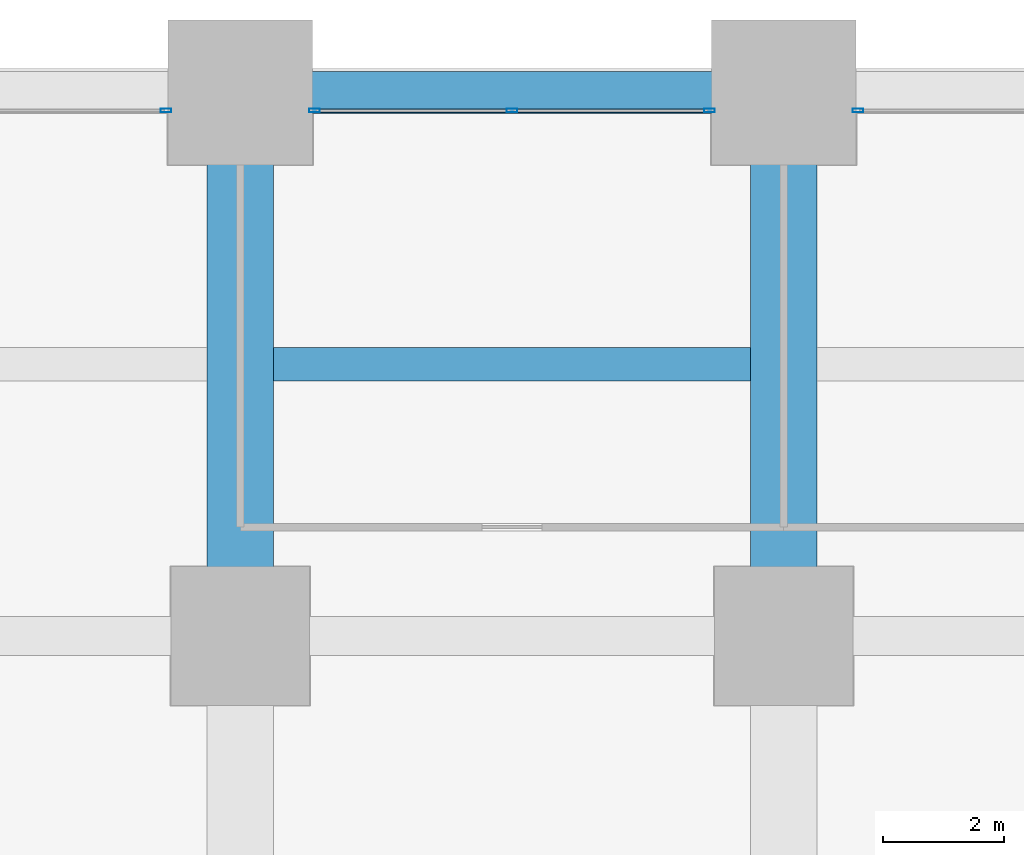
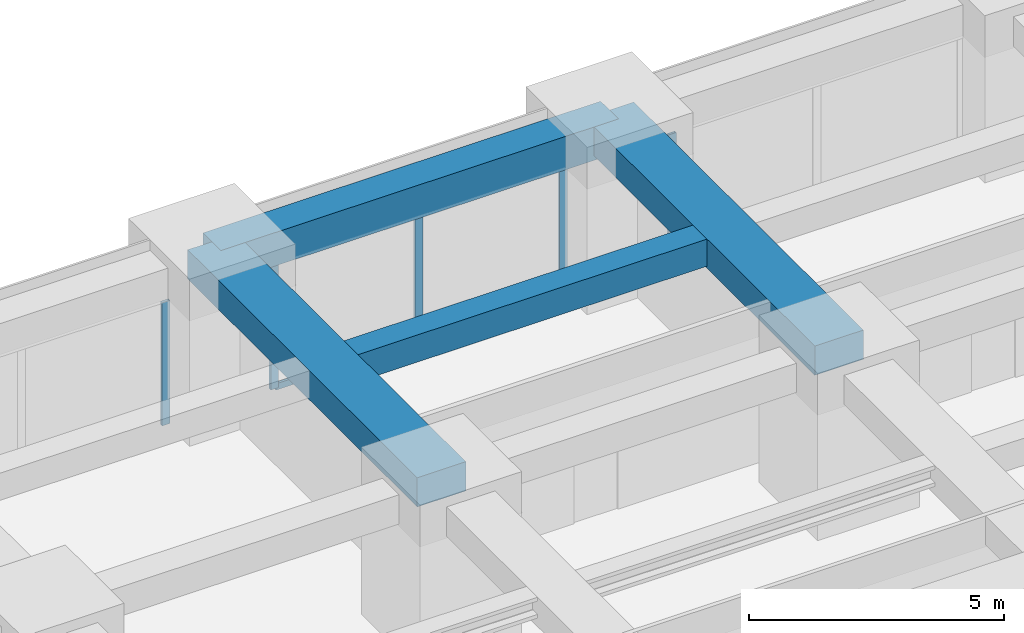
# One storey, part 35 of 45: 6 members, 4 beams, 3 elements without a shape of their own.
"""IFC4 building model written with IfcOpenShell, lengths in metres."""

from ifc_helpers import new_model, si_unit, direction, frame, origin, origin_2d, place, context, subcontext, project, spatial, rectangle, hollow_rectangle, extrude, material, material_profile, profile_set, type_object, element, aggregate, save


model = new_model("IFC4")

# Units and contexts
model_context = context("Model", 3, precision=1e-05, world=origin(), true_north=direction((0.0, 1.0)))
body_context = subcontext(model_context, "Body", "Model", "MODEL_VIEW")
ifc_project = project(units=[si_unit("LENGTHUNIT", "METRE"), si_unit("AREAUNIT", "SQUARE_METRE"), si_unit("VOLUMEUNIT", "CUBIC_METRE"), si_unit("PLANEANGLEUNIT", "RADIAN"), si_unit("MASSUNIT", "GRAM", prefix="KILO")], contexts=[model_context])

# Site, building, storey
site_placement = place(None, origin())
site = spatial("IfcSite", under=ifc_project, at=site_placement, CompositionType="ELEMENT")
building_placement = place(site_placement, origin())
building = spatial("IfcBuilding", under=site, at=building_placement, Name="Zorevar Civic Tower", CompositionType="ELEMENT")
storey_placement = place(building_placement, frame((0.0, 0.0, 23.800048828125)))
storey = spatial("IfcBuildingStorey", under=building, at=storey_placement, Name="L05", CompositionType="ELEMENT", Elevation=23.800048828125)

# Beams
ifc_material_1 = material(Name="Concrete C50/60", Category="concrete")
ifc_material_profile_1 = material_profile(ifc_material_1, rectangle(XDim=1.10009765625, YDim=0.699951171875, at=origin_2d()), Name="RC 1100x700")
ifc_profile_set_1 = profile_set([ifc_material_profile_1], Name="Concrete C50/60")
beam_type_1 = type_object("IfcBeamType", Name="Beam RC 1100x700", PredefinedType="BEAM", material=ifc_profile_set_1)
for number, where, z_axis, x_axis, name in (
    (1, (36.0, 45.0, 3.39990234375), (0.0, 1.0, 0.0), (-1.0, 0.0, 0.0), "Girder L06"),
    (2, (45.0, 45.0, 3.39990234375), (0.0, 1.0, 0.0), (-1.0, 0.0, 0.0), "Girder L06"),
):
    element("IfcBeam", number, at=place(storey_placement, frame(where, z_axis=z_axis, x_axis=x_axis)), inside=storey, type_object=beam_type_1, Name=name, PredefinedType="BEAM", context=body_context, shape_type="SweptSolid", body=[
        extrude(rectangle(XDim=1.10009765625, YDim=0.699951171875, at=origin_2d()), origin(), (0.0, 0.0, 1.0), 9.0),
    ])
ifc_material_2 = material(Name="Concrete C50/60", Category="concrete")
ifc_material_profile_2 = material_profile(ifc_material_2, rectangle(XDim=0.550048828125, YDim=0.64990234375, at=origin_2d()), Name="RC 550x650")
ifc_profile_set_2 = profile_set([ifc_material_profile_2], Name="Concrete C50/60")
beam_type_2 = type_object("IfcBeamType", Name="Beam RC 550x650", PredefinedType="BEAM", material=ifc_profile_set_2)
beam_1_placement = place(storey_placement, frame((36.550048828125, 49.5, 3.425048828125), z_axis=(1.0, 0.0, 0.0), x_axis=(0.0, 1.0, 0.0)))
element("IfcBeam", 3, at=beam_1_placement, inside=storey, type_object=beam_type_2, Name="Secondary beam L06", PredefinedType="BEAM", context=body_context, shape_type="SweptSolid", body=[
    extrude(rectangle(XDim=0.550048828125, YDim=0.64990234375, at=origin_2d()), origin(), (0.0, 0.0, 1.0), 7.89990234375),
])

# Curtain wall, member
ifc_material_3 = material(Name="Dark grey solar-control glass in black aluminium frame", Category="aluminium")
curtain_wall_type = type_object("IfcCurtainWallType", Name="Curtain wall CW2 low zone", PredefinedType="NOTDEFINED", material=ifc_material_3)
curtain_wall_1_placement = place(storey_placement, origin())
curtain_wall_1 = element("IfcCurtainWall", 4, at=curtain_wall_1_placement, inside=storey, type_object=curtain_wall_type, Name="CW2 L05", PredefinedType="NOTDEFINED")
ifc_material_4 = material(Name="Aluminium, black anodised", Category="aluminium")
ifc_material_profile_3 = material_profile(ifc_material_4, hollow_rectangle(XDim=0.06005859375, YDim=0.179931640625, WallThickness=0.00390625, at=origin_2d()), Name="AL 180x60x4")
ifc_profile_set_3 = profile_set([ifc_material_profile_3], Name="Aluminium, black anodised")
member_type_1 = type_object("IfcMemberType", Name="CW2 mullion AL 180x60x4", PredefinedType="MULLION", material=ifc_profile_set_3)
member_1_placement = place(storey_placement, frame((34.77001953125, 53.699951171875, 0.0), z_axis=(0.0, 0.0, 1.0), x_axis=(0.0, 1.0, 0.0)))
member_1 = element("IfcMember", 5, at=member_1_placement, type_object=member_type_1, Name="CW2 mullion 3", PredefinedType="MULLION", context=body_context, shape_type="SweptSolid", body=[
    extrude(hollow_rectangle(XDim=0.06005859375, YDim=0.179931640625, WallThickness=0.00390625, at=origin_2d()), origin(), (0.0, 0.0, 1.0), 2.949951171875),
])
aggregate(curtain_wall_1, [member_1])

# Curtain wall, members
curtain_wall_2_placement = place(storey_placement, origin())
curtain_wall_2 = element("IfcCurtainWall", 6, at=curtain_wall_2_placement, inside=storey, type_object=curtain_wall_type, Name="CW2 L05", PredefinedType="NOTDEFINED")
member_2_placement = place(storey_placement, frame((37.22998046875, 53.699951171875, 0.0), z_axis=(0.0, 0.0, 1.0), x_axis=(0.0, 1.0, 0.0)))
member_2 = element("IfcMember", 7, at=member_2_placement, type_object=member_type_1, Name="CW2 mullion 1", PredefinedType="MULLION", context=body_context, shape_type="SweptSolid", body=[
    extrude(hollow_rectangle(XDim=0.06005859375, YDim=0.179931640625, WallThickness=0.00390625, at=origin_2d()), origin(), (0.0, 0.0, 1.0), 2.949951171875),
])
member_3_placement = place(storey_placement, frame((40.5, 53.699951171875, 0.06005859375), z_axis=(0.0, 0.0, 1.0), x_axis=(0.0, 1.0, 0.0)))
member_3 = element("IfcMember", 8, at=member_3_placement, type_object=member_type_1, Name="CW2 mullion 2", PredefinedType="MULLION", context=body_context, shape_type="SweptSolid", body=[
    extrude(hollow_rectangle(XDim=0.06005859375, YDim=0.179931640625, WallThickness=0.00390625, at=origin_2d()), origin(), (0.0, 0.0, 1.0), 2.889892578125),
])
member_4_placement = place(storey_placement, frame((43.77001953125, 53.699951171875, 0.0), z_axis=(0.0, 0.0, 1.0), x_axis=(0.0, 1.0, 0.0)))
member_4 = element("IfcMember", 9, at=member_4_placement, type_object=member_type_1, Name="CW2 mullion 3", PredefinedType="MULLION", context=body_context, shape_type="SweptSolid", body=[
    extrude(hollow_rectangle(XDim=0.06005859375, YDim=0.179931640625, WallThickness=0.00390625, at=origin_2d()), origin(), (0.0, 0.0, 1.0), 2.949951171875),
])

# Curtain wall, member
curtain_wall_3_placement = place(storey_placement, origin())
curtain_wall_3 = element("IfcCurtainWall", 10, at=curtain_wall_3_placement, inside=storey, type_object=curtain_wall_type, Name="CW2 L05", PredefinedType="NOTDEFINED")
member_5_placement = place(storey_placement, frame((46.22998046875, 53.699951171875, 0.0), z_axis=(0.0, 0.0, 1.0), x_axis=(0.0, 1.0, 0.0)))
member_5 = element("IfcMember", 11, at=member_5_placement, type_object=member_type_1, Name="CW2 mullion 1", PredefinedType="MULLION", context=body_context, shape_type="SweptSolid", body=[
    extrude(hollow_rectangle(XDim=0.06005859375, YDim=0.179931640625, WallThickness=0.00390625, at=origin_2d()), origin(), (0.0, 0.0, 1.0), 2.949951171875),
])
aggregate(curtain_wall_3, [member_5])

# Member
ifc_material_5 = material(Name="Aluminium, black anodised", Category="aluminium")
ifc_material_profile_4 = material_profile(ifc_material_5, hollow_rectangle(XDim=0.06005859375, YDim=0.14990234375, WallThickness=0.00390625, at=origin_2d()), Name="AL 150x60x4")
ifc_profile_set_4 = profile_set([ifc_material_profile_4], Name="Aluminium, black anodised")
member_type_2 = type_object("IfcMemberType", Name="CW2 transom AL 150x60x4", PredefinedType="USERDEFINED", material=ifc_profile_set_4)
member_6_placement = place(storey_placement, frame((37.260009765625, 53.699951171875, 0.030029296875), z_axis=(1.0, 0.0, 0.0), x_axis=(0.0, 1.0, 0.0)))
member_6 = element("IfcMember", 12, at=member_6_placement, type_object=member_type_2, Name="CW2 sill transom", ObjectType="TRANSOM", PredefinedType="USERDEFINED", context=body_context, shape_type="SweptSolid", body=[
    extrude(hollow_rectangle(XDim=0.06005859375, YDim=0.14990234375, WallThickness=0.00390625, at=origin_2d()), origin(), (0.0, 0.0, 1.0), 6.47998046875),
])

aggregate(curtain_wall_2, [member_2, member_3, member_4, member_6])

# Beam
ifc_material_6 = material(Name="Concrete C50/60", Category="concrete")
ifc_material_profile_5 = material_profile(ifc_material_6, rectangle(XDim=0.699951171875, YDim=0.800048828125, at=origin_2d()), Name="RC 700x800")
ifc_profile_set_5 = profile_set([ifc_material_profile_5], Name="Concrete C50/60")
beam_type_3 = type_object("IfcBeamType", Name="Edge beam RC 700x800", PredefinedType="SPANDREL", material=ifc_profile_set_5)
beam_2_placement = place(storey_placement, frame((36.0, 54.0, 3.349853515625), z_axis=(1.0, 0.0, 0.0), x_axis=(0.0, 1.0, 0.0)))
element("IfcBeam", 13, at=beam_2_placement, inside=storey, type_object=beam_type_3, Name="Edge beam L06", PredefinedType="SPANDREL", context=body_context, shape_type="SweptSolid", body=[
    extrude(rectangle(XDim=0.699951171875, YDim=0.800048828125, at=origin_2d()), origin(), (0.0, 0.0, 1.0), 9.0),
])

save(model, "model.ifc")
